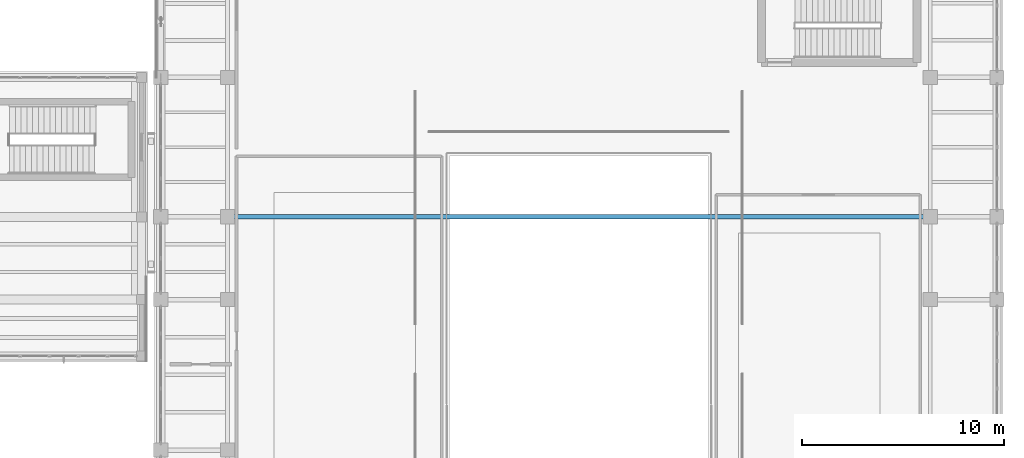
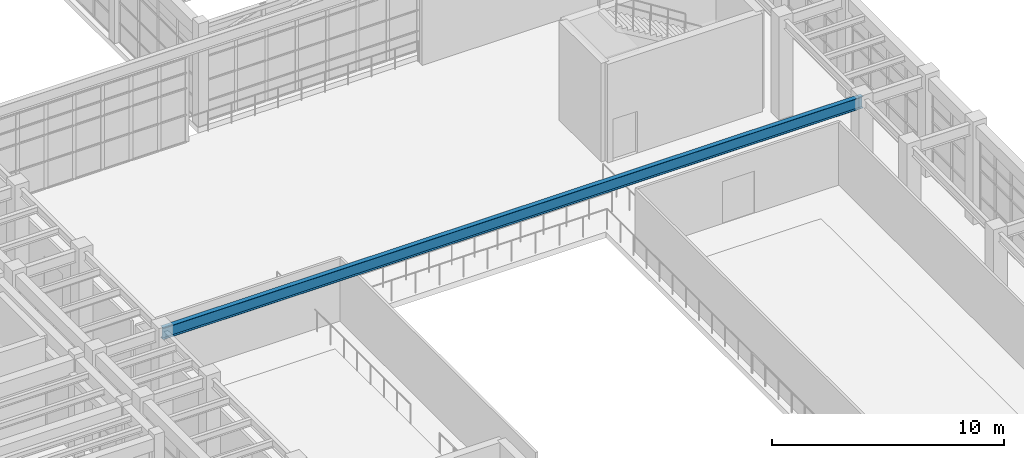
# One storey, part 39 of 103: 1 beam.
"""IFC4 building model written with IfcOpenShell, lengths in metres."""

from ifc_helpers import new_model, si_unit, direction, frame, origin, origin_2d, place, context, subcontext, project, spatial, i_section, extrude, material, material_profile, profile_set, type_object, element, save


model = new_model("IFC4")

# Units and contexts
model_context = context("Model", 3, precision=1e-05, world=origin(), true_north=direction((0.0, 1.0)))
body_context = subcontext(model_context, "Body", "Model", "MODEL_VIEW")
ifc_project = project(units=[si_unit("LENGTHUNIT", "METRE"), si_unit("AREAUNIT", "SQUARE_METRE"), si_unit("VOLUMEUNIT", "CUBIC_METRE"), si_unit("PLANEANGLEUNIT", "RADIAN"), si_unit("MASSUNIT", "GRAM", prefix="KILO")], contexts=[model_context])

# Site, building, storey
site_placement = place(None, origin())
site = spatial("IfcSite", under=ifc_project, at=site_placement, CompositionType="ELEMENT")
building_placement = place(site_placement, origin())
building = spatial("IfcBuilding", under=site, at=building_placement, Name="Candilejo Ridge Gondola Terminal", CompositionType="ELEMENT")
storey_placement = place(building_placement, frame((0.0, 0.0, 9.0)))
storey = spatial("IfcBuildingStorey", under=building, at=storey_placement, Name="L02", CompositionType="ELEMENT", Elevation=9.0)

# Beam
ifc_material = material(Name="Steel ASTM A992 Grade 50", Category="steel")
ifc_material_profile = material_profile(ifc_material, i_section(OverallWidth=0.22802734375, OverallDepth=0.60302734375, WebThickness=0.010498046875, FlangeThickness=0.014892578125, at=origin_2d()))
ifc_profile_set = profile_set([ifc_material_profile], Name="Steel ASTM A992 Grade 50")
beam_type = type_object("IfcBeamType", Name="STR-BM-W610X101", PredefinedType="BEAM", material=ifc_profile_set)
beam_placement = place(storey_placement, frame((137.199951171875, 29.800048828125, 4.8583984375), z_axis=(1.0, 0.0, 0.0), x_axis=(0.0, 1.0, 0.0)))
element("IfcBeam", 1, at=beam_placement, inside=storey, type_object=beam_type, Name="Beam X V4 L02 X22-X26@Y06", PredefinedType="BEAM", context=body_context, shape_type="SweptSolid", body=[
    extrude(i_section(OverallWidth=0.22802734375, OverallDepth=0.60302734375, WebThickness=0.010498046875, FlangeThickness=0.014892578125, at=origin_2d()), origin(), (0.0, 0.0, 1.0), 34.800048828125),
])

save(model, "model.ifc")
